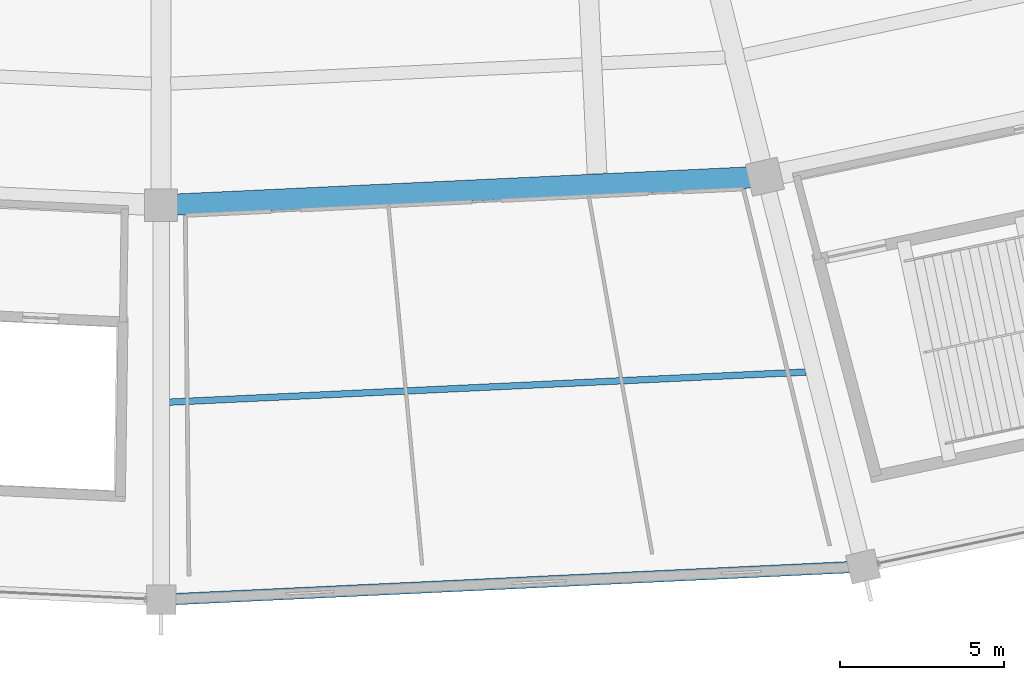
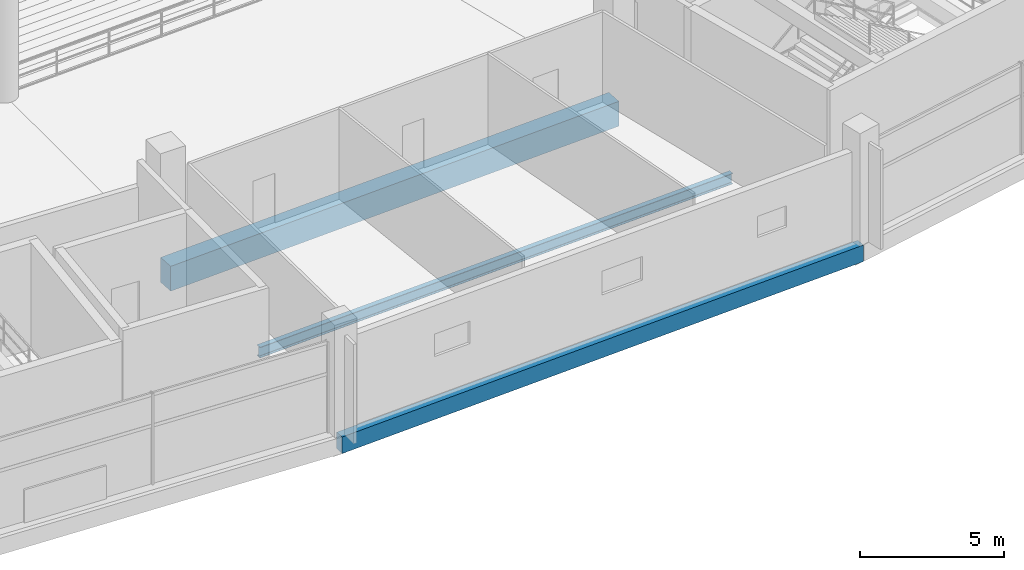
# One storey, part 22 of 156: 3 beams.
"""IFC4 building model written with IfcOpenShell, lengths in metres."""

from ifc_helpers import new_model, si_unit, direction, frame, origin, origin_2d, place, context, subcontext, project, spatial, rectangle, i_section, extrude, material, material_profile, profile_set, type_object, element, save


model = new_model("IFC4")

# Units and contexts
model_context = context("Model", 3, precision=1e-05, world=origin(), true_north=direction((0.0, 1.0)))
body_context = subcontext(model_context, "Body", "Model", "MODEL_VIEW")
ifc_project = project(units=[si_unit("LENGTHUNIT", "METRE"), si_unit("AREAUNIT", "SQUARE_METRE"), si_unit("VOLUMEUNIT", "CUBIC_METRE"), si_unit("PLANEANGLEUNIT", "RADIAN"), si_unit("MASSUNIT", "GRAM", prefix="KILO")], contexts=[model_context])

# Site, building, storey
site_placement = place(None, origin())
site = spatial("IfcSite", under=ifc_project, at=site_placement, CompositionType="ELEMENT")
building_placement = place(site_placement, origin())
building = spatial("IfcBuilding", under=site, at=building_placement, Name="Kazemori Nagisa Stadium", CompositionType="ELEMENT")
storey_placement = place(building_placement, frame((0.0, 0.0, 5.780029296875)))
storey = spatial("IfcBuildingStorey", under=building, at=storey_placement, Name="L01", CompositionType="ELEMENT", Elevation=5.780029296875)

# Beams
ifc_material_1 = material(Name="Concrete C40/50 (Fc42)", Category="concrete")
ifc_material_profile_1 = material_profile(ifc_material_1, rectangle(XDim=0.64990234375, YDim=1.050048828125, at=origin_2d()), Name="RC-BM-650x1050")
ifc_profile_set_1 = profile_set([ifc_material_profile_1], Name="Concrete C40/50 (Fc42)")
beam_type_1 = type_object("IfcBeamType", Name="Beam_BG-RC650X1050", PredefinedType="BEAM", material=ifc_profile_set_1)
beam_1_placement = place(storey_placement, frame((123.0, 28.0400390625, -0.804931640625), z_axis=(0.9988839804, 0.047231278829, 0.0), x_axis=(-0.047231278829, 0.9988839804, 0.0)))
element("IfcBeam", 1, at=beam_1_placement, inside=storey, type_object=beam_type_1, Name="Ring girder BG-RC650X1050 L01 R2-22", PredefinedType="BEAM", context=body_context, shape_type="SweptSolid", body=[
    extrude(rectangle(XDim=0.64990234375, YDim=1.050048828125, at=origin_2d()), origin(), (0.0, 0.0, 1.0), 18.4482421875),
])
ifc_material_2 = material(Name="Steel SN490B", Category="steel")
ifc_material_profile_2 = material_profile(ifc_material_2, i_section(OverallWidth=0.199951171875, OverallDepth=0.449951171875, WebThickness=0.009033203125, FlangeThickness=0.013916015625, FilletRadius=0.012939453125, at=origin_2d()), Name="H-450x200x9x14")
ifc_profile_set_2 = profile_set([ifc_material_profile_2], Name="Steel SN490B")
beam_type_2 = type_object("IfcBeamType", Name="Beam_BJ-H450", PredefinedType="JOIST", material=ifc_profile_set_2)
beam_2_placement = place(storey_placement, frame((123.24462890625, 22.031494140625, -0.505126953125), z_axis=(0.998883835953, 0.047234333614, 0.0), x_axis=(-0.047234333614, 0.998883835953, 0.0)))
element("IfcBeam", 2, at=beam_2_placement, inside=storey, type_object=beam_type_2, Name="Outer bay joist BJ-H450 L01 B22", PredefinedType="JOIST", context=body_context, shape_type="SweptSolid", body=[
    extrude(i_section(OverallWidth=0.199951171875, OverallDepth=0.449951171875, WebThickness=0.009033203125, FlangeThickness=0.013916015625, FilletRadius=0.012939453125, at=origin_2d()), origin(), (0.0, 0.0, 1.0), 19.460205078125),
])
ifc_material_profile_3 = material_profile(ifc_material_1, rectangle(XDim=0.35009765625, YDim=0.699951171875, at=origin_2d()), Name="RC-SP-350x700")
ifc_profile_set_3 = profile_set([ifc_material_profile_3], Name="Concrete C40/50 (Fc42)")
beam_type_3 = type_object("IfcBeamType", Name="Beam_BS-RC350X700", PredefinedType="SPANDREL", material=ifc_profile_set_3)
beam_3_placement = place(storey_placement, frame((123.0, 16.0, -0.630126953125), z_axis=(0.998883994571, 0.047230979144, 0.0), x_axis=(-0.047230979144, 0.998883994571, 0.0)))
element("IfcBeam", 3, at=beam_3_placement, inside=storey, type_object=beam_type_3, Name="Ring girder BS-RC350X700 L01 R3-22", PredefinedType="SPANDREL", context=body_context, shape_type="SweptSolid", body=[
    extrude(rectangle(XDim=0.35009765625, YDim=0.699951171875, at=origin_2d()), origin(), (0.0, 0.0, 1.0), 21.45166015625),
])

save(model, "model.ifc")
